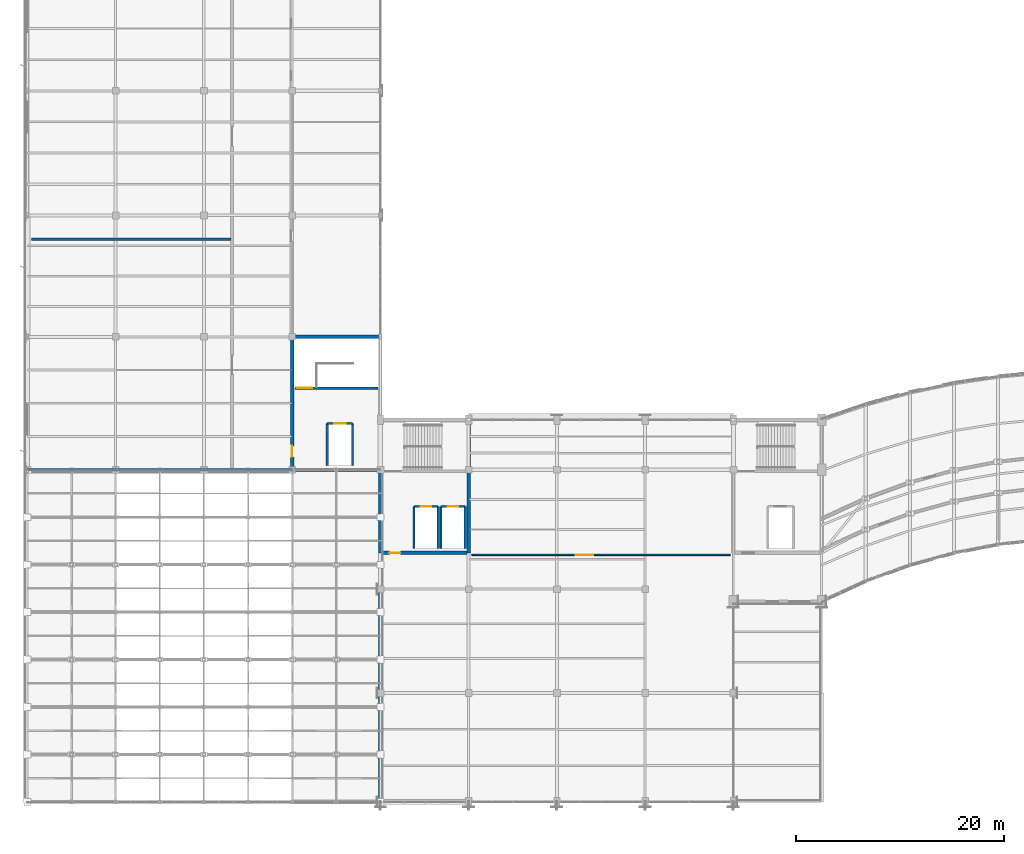
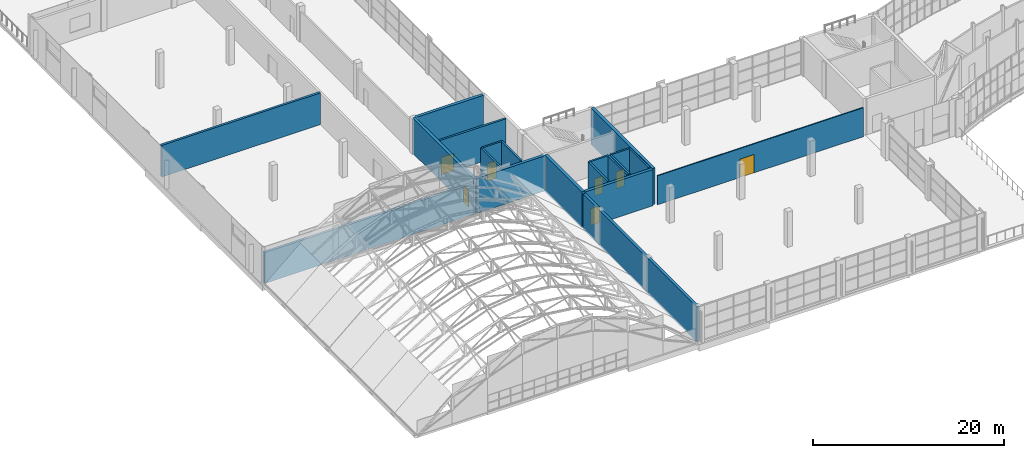
# One storey, part 68 of 86: 20 walls, 7 doors, 7 openings.
"""IFC4 building model written with IfcOpenShell, lengths in metres."""

from ifc_helpers import new_model, si_unit, direction, frame, frame_2d, origin, place, context, subcontext, project, spatial, rectangle, extrude, material, layer, layer_set, type_object, element, fill, save


model = new_model("IFC4")

# Units and contexts
model_context = context("Model", 3, precision=1e-05, world=origin(), true_north=direction((0.0, 1.0)))
body_context = subcontext(model_context, "Body", "Model", "MODEL_VIEW")
ifc_project = project(units=[si_unit("LENGTHUNIT", "METRE"), si_unit("AREAUNIT", "SQUARE_METRE"), si_unit("VOLUMEUNIT", "CUBIC_METRE"), si_unit("PLANEANGLEUNIT", "RADIAN"), si_unit("MASSUNIT", "GRAM", prefix="KILO")], contexts=[model_context])

# Site, building, storey
site_placement = place(None, origin())
site = spatial("IfcSite", under=ifc_project, at=site_placement, CompositionType="ELEMENT")
building_placement = place(site_placement, origin())
building = spatial("IfcBuilding", under=site, at=building_placement, Name="Solvikara Media Centre", CompositionType="ELEMENT")
storey_placement = place(building_placement, frame((0.0, 0.0, 15.0)))
storey = spatial("IfcBuildingStorey", under=building, at=storey_placement, Name="L03", CompositionType="ELEMENT", Elevation=15.0)

# Wall, opening, door
ifc_material_1 = material(Name="Concrete fc' 45 MPa (C45/55)", Category="concrete")
ifc_layer_1 = layer(ifc_material_1, 0.35009765625)
ifc_layer_set_1 = layer_set([ifc_layer_1], Name="Concrete fc' 45 MPa (C45/55)")
wall_type_1 = type_object("IfcWallType", Name="WT-03", PredefinedType="SHEAR", material=ifc_layer_set_1)
wall_1_placement = place(storey_placement, frame((25.5, 32.0, 0.0), z_axis=(0.0, 0.0, 1.0), x_axis=(0.0, 1.0, 0.0)))
wall_1 = element("IfcWall", 1, at=wall_1_placement, inside=storey, type_object=wall_type_1, Name="CW-C1-L03-W", PredefinedType="SHEAR", context=body_context, shape_type="SweptSolid", body=[
    extrude(rectangle(XDim=12.800048828125, YDim=0.35009765625, at=frame_2d((6.39990234375, 0.0))), origin(), (0.0, 0.0, 1.0), 4.489990234375),
])
opening_1_placement = place(wall_1_placement, frame((1.25, 0.0, 0.0)))
opening_1 = element("IfcOpeningElement", 2, at=opening_1_placement, cuts=wall_1, Name="Opening D-C1-L03-LOB", PredefinedType="OPENING", context=body_context, shape_type="SweptSolid", body=[
    extrude(rectangle(XDim=1.050048828125, YDim=2.14990234375, at=frame_2d((0.52490234375, 1.074951171875))), frame((0.0, 0.18701171875, 0.0), z_axis=(0.0, -1.0, 0.0), x_axis=(1.0, 0.0, 0.0)), (0.0, 0.0, 1.0), 0.3740234375),
])
ifc_material_2 = material(Name="Insulated fire-rated steel door leaf", Category="steel")
door_type_1 = type_object("IfcDoorType", Name="DT-10", OperationType="NOTDEFINED", PredefinedType="DOOR", material=ifc_material_2)
door_1_placement = place(opening_1_placement, origin())
door_1 = element("IfcDoor", 3, at=door_1_placement, inside=storey, type_object=door_type_1, Name="D-C1-L03-LOB", OperationType="SINGLE_SWING_RIGHT", OverallHeight=2.14990234375, OverallWidth=1.050048828125, PredefinedType="DOOR", context=body_context, shape_type="SweptSolid", body=[
    extrude(rectangle(XDim=1.050048828125, YDim=2.14990234375, at=frame_2d((0.52490234375, 1.074951171875))), frame((0.0, 0.02490234375, 0.0), z_axis=(0.0, -1.0, 0.0), x_axis=(1.0, 0.0, 0.0)), (0.0, 0.0, 1.0), 0.050048828125),
])
fill(opening_1, door_1)

# Walls
for number, where, z_axis, x_axis, name in (
    (4, (25.675048828125, 44.800048828125, 0.0), (0.0, 0.0, 1.0), (1.0, 0.0, 0.0), "CW-C1-L03-N"),
    (5, (25.675048828125, 32.0, 0.0), (0.0, 0.0, 1.0), (1.0, 0.0, 0.0), "CW-C1-L03-S"),
):
    element("IfcWall", number, at=place(storey_placement, frame(where, z_axis=z_axis, x_axis=x_axis)), inside=storey, type_object=wall_type_1, Name=name, PredefinedType="SHEAR", context=body_context, shape_type="SweptSolid", body=[
        extrude(rectangle(XDim=8.14990234375, YDim=0.35009765625, at=frame_2d((4.074951171875, 0.0))), origin(), (0.0, 0.0, 1.0), 4.489990234375),
    ])
wall_2_placement = place(storey_placement, frame((34.0, 24.0, 0.0), z_axis=(0.0, 0.0, 1.0), x_axis=(0.0, 1.0, 0.0)))
element("IfcWall", 6, at=wall_2_placement, inside=storey, type_object=wall_type_1, Name="CW-C2-L03-W", PredefinedType="SHEAR", context=body_context, shape_type="SweptSolid", body=[
    extrude(rectangle(XDim=7.800048828125, YDim=0.35009765625, at=frame_2d((3.89990234375, 0.0))), origin(), (0.0, 0.0, 1.0), 4.639892578125),
])
wall_3_placement = place(storey_placement, frame((42.5, 24.0, 0.0), z_axis=(0.0, 0.0, 1.0), x_axis=(0.0, 1.0, 0.0)))
element("IfcWall", 7, at=wall_3_placement, inside=storey, type_object=wall_type_1, Name="CW-C2-L03-E", PredefinedType="SHEAR", context=body_context, shape_type="SweptSolid", body=[
    extrude(rectangle(XDim=12.800048828125, YDim=0.35009765625, at=frame_2d((6.39990234375, 0.0))), origin(), (0.0, 0.0, 1.0), 4.639892578125),
])

# Wall, opening, door
wall_4_placement = place(storey_placement, frame((34.175048828125, 24.0, 0.0), z_axis=(0.0, 0.0, 1.0), x_axis=(1.0, 0.0, 0.0)))
wall_4 = element("IfcWall", 8, at=wall_4_placement, inside=storey, type_object=wall_type_1, Name="CW-C2-L03-S", PredefinedType="SHEAR", context=body_context, shape_type="SweptSolid", body=[
    extrude(rectangle(XDim=8.14990234375, YDim=0.35009765625, at=frame_2d((4.074951171875, 0.0))), origin(), (0.0, 0.0, 1.0), 4.639892578125),
])
opening_2_placement = place(wall_4_placement, frame((0.699951171875, 0.0, 0.0)))
opening_2 = element("IfcOpeningElement", 9, at=opening_2_placement, cuts=wall_4, Name="Opening D-C2-L03-LOB", PredefinedType="OPENING", context=body_context, shape_type="SweptSolid", body=[
    extrude(rectangle(XDim=1.050048828125, YDim=2.14990234375, at=frame_2d((0.52490234375, 1.074951171875))), frame((0.0, 0.18701171875, 0.0), z_axis=(0.0, -1.0, 0.0), x_axis=(1.0, 0.0, 0.0)), (0.0, 0.0, 1.0), 0.3740234375),
])
door_2_placement = place(opening_2_placement, frame((1.050048828125, 0.0, 0.0), z_axis=(0.0, 0.0, 1.0), x_axis=(-1.0, 0.0, 0.0)))
door_2 = element("IfcDoor", 10, at=door_2_placement, inside=storey, type_object=door_type_1, Name="D-C2-L03-LOB", OperationType="SINGLE_SWING_RIGHT", OverallHeight=2.14990234375, OverallWidth=1.050048828125, PredefinedType="DOOR", context=body_context, shape_type="SweptSolid", body=[
    extrude(rectangle(XDim=1.050048828125, YDim=2.14990234375, at=frame_2d((0.52490234375, 1.074951171875))), frame((0.0, 0.02490234375, 0.0), z_axis=(0.0, -1.0, 0.0), x_axis=(1.0, 0.0, 0.0)), (0.0, 0.0, 1.0), 0.050048828125),
])
fill(opening_2, door_2)

# Wall
ifc_layer_2 = layer(ifc_material_1, 0.320068359375)
ifc_layer_set_2 = layer_set([ifc_layer_2], Name="Concrete fc' 45 MPa (C45/55)")
wall_type_2 = type_object("IfcWallType", Name="WT-04", PredefinedType="SHEAR", material=ifc_layer_set_2)
wall_5_placement = place(storey_placement, frame((34.0, 0.0, 0.0), z_axis=(0.0, 0.0, 1.0), x_axis=(0.0, 1.0, 0.0)))
element("IfcWall", 11, at=wall_5_placement, inside=storey, type_object=wall_type_2, Name="EW-L03-V6-W", PredefinedType="SHEAR", context=body_context, shape_type="SweptSolid", body=[
    extrude(rectangle(XDim=23.800048828125, YDim=0.320068359375, at=frame_2d((11.89990234375, 0.0))), origin(), (0.0, 0.0, 1.0), 4.5),
])

# Wall, opening, door
ifc_layer_3 = layer(ifc_material_1, 0.25)
ifc_layer_set_3 = layer_set([ifc_layer_3], Name="Concrete fc' 45 MPa (C45/55)")
wall_type_3 = type_object("IfcWallType", Name="WT-07", PredefinedType="STANDARD", material=ifc_layer_set_3)
wall_6_placement = place(storey_placement, frame((25.75, 39.85009765625, 0.0), z_axis=(0.0, 0.0, 1.0), x_axis=(1.0, 0.0, 0.0)))
wall_6 = element("IfcWall", 12, at=wall_6_placement, inside=storey, type_object=wall_type_3, Name="CW-C1-L03-SD", PredefinedType="STANDARD", context=body_context, shape_type="SweptSolid", body=[
    extrude(rectangle(XDim=8.0, YDim=0.25, at=frame_2d((4.0, 0.0))), origin(), (0.0, 0.0, 1.0), 4.489990234375),
])
opening_3_placement = place(wall_6_placement, frame((0.199951171875, 0.0, 0.0)))
opening_3 = element("IfcOpeningElement", 13, at=opening_3_placement, cuts=wall_6, Name="Opening D-C1-L03-ST", PredefinedType="OPENING", context=body_context, shape_type="SweptSolid", body=[
    extrude(rectangle(XDim=1.5, YDim=2.199951171875, at=frame_2d((0.75, 1.10009765625))), frame((0.0, 0.136962890625, 0.0), z_axis=(0.0, -1.0, 0.0), x_axis=(1.0, 0.0, 0.0)), (0.0, 0.0, 1.0), 0.27392578125),
])
door_type_2 = type_object("IfcDoorType", Name="DT-08", OperationType="DOUBLE_DOOR_SINGLE_SWING", PredefinedType="DOOR", material=ifc_material_2)
door_3_placement = place(opening_3_placement, frame((1.5, 0.0, 0.0), z_axis=(0.0, 0.0, 1.0), x_axis=(-1.0, 0.0, 0.0)))
door_3 = element("IfcDoor", 14, at=door_3_placement, inside=storey, type_object=door_type_2, Name="D-C1-L03-ST", OperationType="DOUBLE_DOOR_SINGLE_SWING", OverallHeight=2.199951171875, OverallWidth=1.5, PredefinedType="DOOR", context=body_context, shape_type="SweptSolid", body=[
    extrude(rectangle(XDim=1.5, YDim=2.199951171875, at=frame_2d((0.75, 1.10009765625))), frame((0.0, 0.02490234375, 0.0), z_axis=(0.0, -1.0, 0.0), x_axis=(1.0, 0.0, 0.0)), (0.0, 0.0, 1.0), 0.050048828125),
])
fill(opening_3, door_3)

# Walls
ifc_material_3 = material(Name="Precast concrete fc' 40 MPa (C40/50)", Category="concrete")
ifc_layer_4 = layer(ifc_material_3, 0.2900390625)
ifc_layer_set_4 = layer_set([ifc_layer_4], Name="Precast concrete fc' 40 MPa (C40/50)")
wall_type_4 = type_object("IfcWallType", Name="WT-11", PredefinedType="STANDARD", material=ifc_layer_set_4)
wall_7_placement = place(storey_placement, frame((0.0, 32.0, 0.0), z_axis=(0.0, 0.0, 1.0), x_axis=(1.0, 0.0, 0.0)))
element("IfcWall", 15, at=wall_7_placement, inside=storey, type_object=wall_type_4, Name="EW-L03-V4-S", PredefinedType="STANDARD", context=body_context, shape_type="SweptSolid", body=[
    extrude(rectangle(XDim=25.5, YDim=0.2900390625, at=frame_2d((12.75, 0.0))), origin(), (0.0, 0.0, 1.0), 3.964111328125),
])
ifc_material_4 = material(Name="Double-stud acoustic gypsum partition assembly")
ifc_layer_5 = layer(ifc_material_4, 0.27001953125)
ifc_layer_set_5 = layer_set([ifc_layer_5], Name="Double-stud acoustic gypsum partition assembly")
wall_type_5 = type_object("IfcWallType", Name="WT-16", PredefinedType="PARTITIONING", material=ifc_layer_set_5)
wall_8_placement = place(storey_placement, frame((0.39990234375, 54.199951171875, 0.0), z_axis=(0.0, 0.0, 1.0), x_axis=(1.0, 0.0, 0.0)))
element("IfcWall", 16, at=wall_8_placement, inside=storey, type_object=wall_type_5, Name="PW-L03-072", PredefinedType="PARTITIONING", context=body_context, shape_type="SweptSolid", body=[
    extrude(rectangle(XDim=19.2001953125, YDim=0.27001953125, at=frame_2d((9.60009765625, 0.0))), origin(), (0.0, 0.0, 1.0), 4.05810546875),
])
ifc_material_5 = material(Name="Fire-rated gypsum and mineral-wool shaft wall assembly")
ifc_layer_6 = layer(ifc_material_5, 0.2099609375)
ifc_layer_set_6 = layer_set([ifc_layer_6], Name="Fire-rated gypsum and mineral-wool shaft wall assembly")
wall_type_6 = type_object("IfcWallType", Name="WT-17", PredefinedType="PARTITIONING", material=ifc_layer_set_6)
for number, where, z_axis, x_axis, name in (
    (17, (28.8798828125, 32.39990234375, 0.0), (0.0, 0.0, 1.0), (0.0, 1.0, 0.0), "LW-LF-S1-L03-W"),
    (18, (31.320068359375, 32.39990234375, 0.0), (0.0, 0.0, 1.0), (0.0, 1.0, 0.0), "LW-LF-S1-L03-E"),
):
    element("IfcWall", number, at=place(storey_placement, frame(where, z_axis=z_axis, x_axis=x_axis)), inside=storey, type_object=wall_type_6, Name=name, PredefinedType="PARTITIONING", context=body_context, shape_type="SweptSolid", body=[
        extrude(rectangle(XDim=4.050048828125, YDim=0.2099609375, at=frame_2d((2.02490234375, 0.0))), origin(), (0.0, 0.0, 1.0), 4.489990234375),
    ])

# Wall, opening, door
wall_9_placement = place(storey_placement, frame((28.8798828125, 36.449951171875, 0.0), z_axis=(0.0, 0.0, 1.0), x_axis=(1.0, 0.0, 0.0)))
wall_9 = element("IfcWall", 19, at=wall_9_placement, inside=storey, type_object=wall_type_6, Name="LW-LF-S1-L03-N", PredefinedType="PARTITIONING", context=body_context, shape_type="SweptSolid", body=[
    extrude(rectangle(XDim=2.440185546875, YDim=0.2099609375, at=frame_2d((1.22021484375, 0.0))), origin(), (0.0, 0.0, 1.0), 4.489990234375),
])
opening_4_placement = place(wall_9_placement, frame((0.669921875, 0.0, 0.0)))
opening_4 = element("IfcOpeningElement", 20, at=opening_4_placement, cuts=wall_9, Name="Opening LD-LF-S1-L03", PredefinedType="OPENING", context=body_context, shape_type="SweptSolid", body=[
    extrude(rectangle(XDim=1.10009765625, YDim=2.199951171875, at=frame_2d((0.550048828125, 1.10009765625))), frame((0.0, 0.116943359375, 0.0), z_axis=(0.0, -1.0, 0.0), x_axis=(1.0, 0.0, 0.0)), (0.0, 0.0, 1.0), 0.23388671875),
])
door_type_3 = type_object("IfcDoorType", Name="LD-01", OperationType="DOUBLE_DOOR_SLIDING", PredefinedType="DOOR", material=ifc_material_2)
door_4_placement = place(opening_4_placement, origin())
door_4 = element("IfcDoor", 21, at=door_4_placement, inside=storey, type_object=door_type_3, Name="LD-LF-S1-L03", OperationType="DOUBLE_DOOR_SLIDING", OverallHeight=2.199951171875, OverallWidth=1.10009765625, PredefinedType="DOOR", context=body_context, shape_type="SweptSolid", body=[
    extrude(rectangle(XDim=1.10009765625, YDim=2.199951171875, at=frame_2d((0.550048828125, 1.10009765625))), frame((0.0, 0.02490234375, 0.0), z_axis=(0.0, -1.0, 0.0), x_axis=(1.0, 0.0, 0.0)), (0.0, 0.0, 1.0), 0.050048828125),
])
fill(opening_4, door_4)

# Walls
for number, where, z_axis, x_axis, name in (
    (22, (37.22998046875, 24.39990234375, 0.0), (0.0, 0.0, 1.0), (0.0, 1.0, 0.0), "LW-LF-P1-L03-W"),
    (23, (39.570068359375, 24.39990234375, 0.0), (0.0, 0.0, 1.0), (0.0, 1.0, 0.0), "LW-LF-P1-L03-E"),
):
    element("IfcWall", number, at=place(storey_placement, frame(where, z_axis=z_axis, x_axis=x_axis)), inside=storey, type_object=wall_type_6, Name=name, PredefinedType="PARTITIONING", context=body_context, shape_type="SweptSolid", body=[
        extrude(rectangle(XDim=4.050048828125, YDim=0.2099609375, at=frame_2d((2.02490234375, 0.0))), origin(), (0.0, 0.0, 1.0), 4.639892578125),
    ])

# Wall, opening, door
wall_10_placement = place(storey_placement, frame((37.22998046875, 28.449951171875, 0.0), z_axis=(0.0, 0.0, 1.0), x_axis=(1.0, 0.0, 0.0)))
wall_10 = element("IfcWall", 24, at=wall_10_placement, inside=storey, type_object=wall_type_6, Name="LW-LF-P1-L03-N", PredefinedType="PARTITIONING", context=body_context, shape_type="SweptSolid", body=[
    extrude(rectangle(XDim=2.340087890625, YDim=0.2099609375, at=frame_2d((1.169921875, 0.0))), origin(), (0.0, 0.0, 1.0), 4.639892578125),
])
opening_5_placement = place(wall_10_placement, frame((0.669921875, 0.0, 0.0)))
opening_5 = element("IfcOpeningElement", 25, at=opening_5_placement, cuts=wall_10, Name="Opening LD-LF-P1-L03", PredefinedType="OPENING", context=body_context, shape_type="SweptSolid", body=[
    extrude(rectangle(XDim=1.0, YDim=2.199951171875, at=frame_2d((0.5, 1.10009765625))), frame((0.0, 0.116943359375, 0.0), z_axis=(0.0, -1.0, 0.0), x_axis=(1.0, 0.0, 0.0)), (0.0, 0.0, 1.0), 0.23388671875),
])
door_type_4 = type_object("IfcDoorType", Name="LD-02", OperationType="DOUBLE_DOOR_SLIDING", PredefinedType="DOOR", material=ifc_material_2)
door_5_placement = place(opening_5_placement, origin())
door_5 = element("IfcDoor", 26, at=door_5_placement, inside=storey, type_object=door_type_4, Name="LD-LF-P1-L03", OperationType="DOUBLE_DOOR_SLIDING", OverallHeight=2.199951171875, OverallWidth=1.0, PredefinedType="DOOR", context=body_context, shape_type="SweptSolid", body=[
    extrude(rectangle(XDim=1.0, YDim=2.199951171875, at=frame_2d((0.5, 1.10009765625))), frame((0.0, 0.02490234375, 0.0), z_axis=(0.0, -1.0, 0.0), x_axis=(1.0, 0.0, 0.0)), (0.0, 0.0, 1.0), 0.050048828125),
])
fill(opening_5, door_5)

# Walls
for number, where, z_axis, x_axis, name in (
    (27, (39.830078125, 24.39990234375, 0.0), (0.0, 0.0, 1.0), (0.0, 1.0, 0.0), "LW-LF-P2-L03-W"),
    (28, (42.169921875, 24.39990234375, 0.0), (0.0, 0.0, 1.0), (0.0, 1.0, 0.0), "LW-LF-P2-L03-E"),
):
    element("IfcWall", number, at=place(storey_placement, frame(where, z_axis=z_axis, x_axis=x_axis)), inside=storey, type_object=wall_type_6, Name=name, PredefinedType="PARTITIONING", context=body_context, shape_type="SweptSolid", body=[
        extrude(rectangle(XDim=4.050048828125, YDim=0.2099609375, at=frame_2d((2.02490234375, 0.0))), origin(), (0.0, 0.0, 1.0), 4.639892578125),
    ])

# Wall, opening, door
wall_11_placement = place(storey_placement, frame((39.830078125, 28.449951171875, 0.0), z_axis=(0.0, 0.0, 1.0), x_axis=(1.0, 0.0, 0.0)))
wall_11 = element("IfcWall", 29, at=wall_11_placement, inside=storey, type_object=wall_type_6, Name="LW-LF-P2-L03-N", PredefinedType="PARTITIONING", context=body_context, shape_type="SweptSolid", body=[
    extrude(rectangle(XDim=2.33984375, YDim=0.2099609375, at=frame_2d((1.169921875, 0.0))), origin(), (0.0, 0.0, 1.0), 4.639892578125),
])
opening_6_placement = place(wall_11_placement, frame((0.669921875, 0.0, 0.0)))
opening_6 = element("IfcOpeningElement", 30, at=opening_6_placement, cuts=wall_11, Name="Opening LD-LF-P2-L03", PredefinedType="OPENING", context=body_context, shape_type="SweptSolid", body=[
    extrude(rectangle(XDim=1.0, YDim=2.199951171875, at=frame_2d((0.5, 1.10009765625))), frame((0.0, 0.116943359375, 0.0), z_axis=(0.0, -1.0, 0.0), x_axis=(1.0, 0.0, 0.0)), (0.0, 0.0, 1.0), 0.23388671875),
])
door_6_placement = place(opening_6_placement, origin())
door_6 = element("IfcDoor", 31, at=door_6_placement, inside=storey, type_object=door_type_4, Name="LD-LF-P2-L03", OperationType="DOUBLE_DOOR_SLIDING", OverallHeight=2.199951171875, OverallWidth=1.0, PredefinedType="DOOR", context=body_context, shape_type="SweptSolid", body=[
    extrude(rectangle(XDim=1.0, YDim=2.199951171875, at=frame_2d((0.5, 1.10009765625))), frame((0.0, 0.02490234375, 0.0), z_axis=(0.0, -1.0, 0.0), x_axis=(1.0, 0.0, 0.0)), (0.0, 0.0, 1.0), 0.050048828125),
])
fill(opening_6, door_6)

ifc_layer_7 = layer(ifc_material_4, 0.139892578125)
ifc_layer_set_7 = layer_set([ifc_layer_7], Name="Double-stud acoustic gypsum partition assembly")
wall_type_7 = type_object("IfcWallType", Name="WT-20", PredefinedType="PARTITIONING", material=ifc_layer_set_7)
wall_12_placement = place(storey_placement, frame((42.800048828125, 23.800048828125, 0.0), z_axis=(0.0, 0.0, 1.0), x_axis=(1.0, 0.0, 0.0)))
wall_12 = element("IfcWall", 32, at=wall_12_placement, inside=storey, type_object=wall_type_7, Name="PW-L03-074", PredefinedType="PARTITIONING", context=body_context, shape_type="SweptSolid", body=[
    extrude(rectangle(XDim=24.89990234375, YDim=0.139892578125, at=frame_2d((12.449951171875, 0.0))), origin(), (0.0, 0.0, 1.0), 3.7080078125),
])
opening_7_placement = place(wall_12_placement, frame((10.0, 0.0, 0.0)))
opening_7 = element("IfcOpeningElement", 33, at=opening_7_placement, cuts=wall_12, Name="Opening D-L03-074-1", PredefinedType="OPENING", context=body_context, shape_type="SweptSolid", body=[
    extrude(rectangle(XDim=1.699951171875, YDim=2.35009765625, at=frame_2d((0.85009765625, 1.175048828125))), frame((0.0, 0.08203125, 0.0), z_axis=(0.0, -1.0, 0.0), x_axis=(1.0, 0.0, 0.0)), (0.0, 0.0, 1.0), 0.163818359375),
])
ifc_material_6 = material(Name="Anodised aluminium EN AW-6063", Category="aluminium")
door_type_5 = type_object("IfcDoorType", Name="DT-21", OperationType="DOUBLE_DOOR_SINGLE_SWING", PredefinedType="DOOR", material=ifc_material_6)
door_7_placement = place(opening_7_placement, origin())
door_7 = element("IfcDoor", 34, at=door_7_placement, inside=storey, type_object=door_type_5, Name="D-L03-074-1", OperationType="DOUBLE_DOOR_SINGLE_SWING", OverallHeight=2.35009765625, OverallWidth=1.699951171875, PredefinedType="DOOR", context=body_context, shape_type="SweptSolid", body=[
    extrude(rectangle(XDim=1.699951171875, YDim=2.35009765625, at=frame_2d((0.85009765625, 1.175048828125))), frame((0.0, 0.02490234375, 0.0), z_axis=(0.0, -1.0, 0.0), x_axis=(1.0, 0.0, 0.0)), (0.0, 0.0, 1.0), 0.050048828125),
])
fill(opening_7, door_7)

save(model, "model.ifc")
